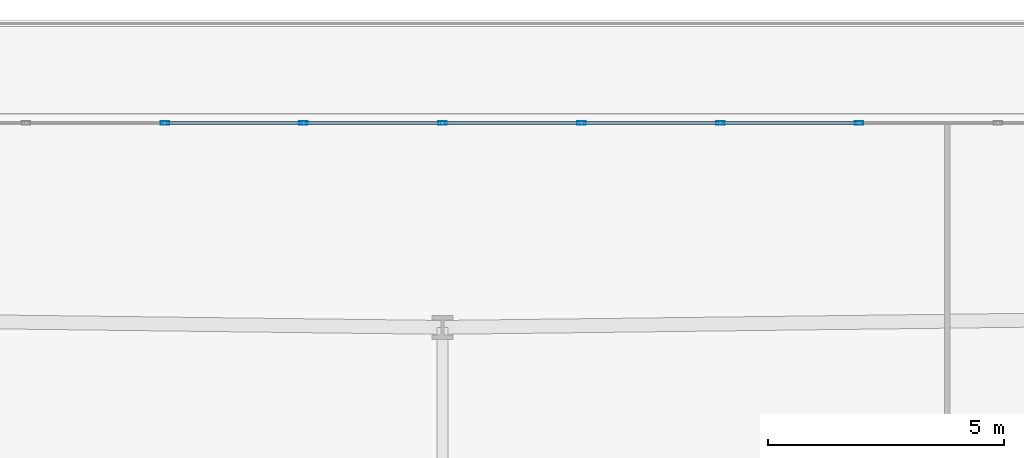
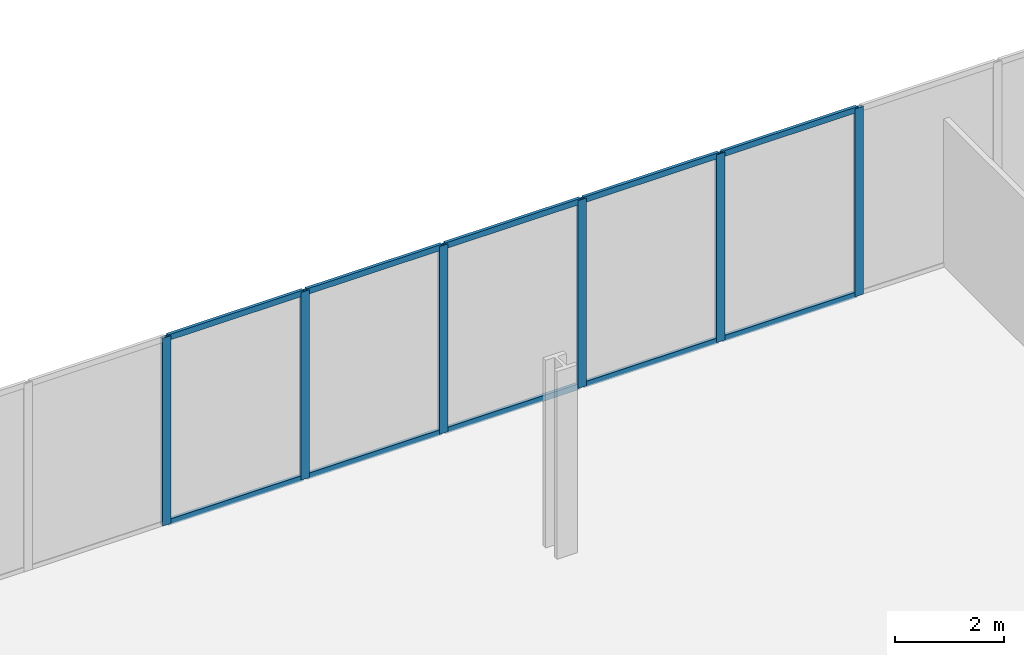
# One storey, part 17 of 31: 16 members, 1 element without a shape of its own.
"""IFC4 building model written with IfcOpenShell, lengths in metres."""

from ifc_helpers import new_model, si_unit, direction, frame, origin, origin_2d, place, context, subcontext, project, spatial, hollow_rectangle, extrude, material, layer, layer_set, material_profile, profile_set, type_object, element, aggregate, save


model = new_model("IFC4")

# Units and contexts
model_context = context("Model", 3, precision=1e-05, world=origin(), true_north=direction((0.0, 1.0)))
body_context = subcontext(model_context, "Body", "Model", "MODEL_VIEW")
ifc_project = project(units=[si_unit("LENGTHUNIT", "METRE"), si_unit("AREAUNIT", "SQUARE_METRE"), si_unit("VOLUMEUNIT", "CUBIC_METRE"), si_unit("PLANEANGLEUNIT", "RADIAN"), si_unit("MASSUNIT", "GRAM", prefix="KILO")], contexts=[model_context])

# Site, building, storey
site_placement = place(None, origin())
site = spatial("IfcSite", under=ifc_project, at=site_placement, CompositionType="ELEMENT")
building_placement = place(site_placement, origin())
building = spatial("IfcBuilding", under=site, at=building_placement, Name="Caelvoria Tower", CompositionType="ELEMENT")
storey_placement = place(building_placement, frame((0.0, 0.0, 9.5)))
storey = spatial("IfcBuildingStorey", under=building, at=storey_placement, Name="L02", CompositionType="ELEMENT", Elevation=9.5)

# Curtain wall, members
ifc_material_1 = material(Name="Anodised Bronze Aluminium and Low-E Glass", Category="aluminium")
ifc_layer = layer(ifc_material_1, 0.199951171875, Name="Anodised Bronze Aluminium and Low-E Glass")
ifc_layer_set = layer_set([ifc_layer], Name="CW System 1 Podium Arcade Unitised Glazing - Anodised Bronze Aluminium and Low-E Glass")
curtain_wall_type = type_object("IfcCurtainWallType", Name="CW System 1 Podium Arcade Unitised Glazing", PredefinedType="NOTDEFINED", material=ifc_layer_set)
curtain_wall_placement = place(storey_placement, origin())
curtain_wall = element("IfcCurtainWall", 1, at=curtain_wall_placement, inside=storey, type_object=curtain_wall_type, Name="CW-01 Curtain Wall L02-E4", PredefinedType="NOTDEFINED")
ifc_material_2 = material(Name="Anodised Bronze Architectural Aluminium", Category="aluminium")
ifc_material_profile_1 = material_profile(ifc_material_2, hollow_rectangle(XDim=0.070068359375, YDim=0.179931640625, WallThickness=0.00390625, at=origin_2d()), Name="Anodised Bronze Architectural Aluminium")
ifc_profile_set_1 = profile_set([ifc_material_profile_1], Name="CW_MULL_70X180 - Anodised Bronze Architectural Aluminium")
member_type_1 = type_object("IfcMemberType", Name="Curtain Wall Mullion 70x180 Bronze Aluminium", PredefinedType="MULLION", material=ifc_profile_set_1)
member_1_placement = place(storey_placement, frame((54.80908203125, 57.6201171875, 0.0), z_axis=(0.0, 0.0, 1.0), x_axis=(0.0, -1.0, 0.0)))
member_1 = element("IfcMember", 2, at=member_1_placement, type_object=member_type_1, Name="CW-01 mullion 9", PredefinedType="MULLION", context=body_context, shape_type="SweptSolid", body=[
    extrude(hollow_rectangle(XDim=0.070068359375, YDim=0.179931640625, WallThickness=0.00390625, at=origin_2d()), origin(), (0.0, 0.0, 1.0), 4.2099609375),
])
member_2_placement = place(storey_placement, frame((51.872802734375, 57.6201171875, 0.0), z_axis=(0.0, 0.0, 1.0), x_axis=(0.0, -1.0, 0.0)))
member_2 = element("IfcMember", 3, at=member_2_placement, type_object=member_type_1, Name="CW-01 mullion 10", PredefinedType="MULLION", context=body_context, shape_type="SweptSolid", body=[
    extrude(hollow_rectangle(XDim=0.070068359375, YDim=0.179931640625, WallThickness=0.00390625, at=origin_2d()), origin(), (0.0, 0.0, 1.0), 4.2099609375),
])
member_3_placement = place(storey_placement, frame((48.936279296875, 57.6201171875, 0.0), z_axis=(0.0, 0.0, 1.0), x_axis=(0.0, -1.0, 0.0)))
member_3 = element("IfcMember", 4, at=member_3_placement, type_object=member_type_1, Name="CW-01 mullion 11", PredefinedType="MULLION", context=body_context, shape_type="SweptSolid", body=[
    extrude(hollow_rectangle(XDim=0.070068359375, YDim=0.179931640625, WallThickness=0.00390625, at=origin_2d()), origin(), (0.0, 0.0, 1.0), 4.2099609375),
])
member_4_placement = place(storey_placement, frame((46.0, 57.6201171875, 0.0), z_axis=(0.0, 0.0, 1.0), x_axis=(0.0, -1.0, 0.0)))
member_4 = element("IfcMember", 5, at=member_4_placement, type_object=member_type_1, Name="CW-01 mullion 12", PredefinedType="MULLION", context=body_context, shape_type="SweptSolid", body=[
    extrude(hollow_rectangle(XDim=0.070068359375, YDim=0.179931640625, WallThickness=0.00390625, at=origin_2d()), origin(), (0.0, 0.0, 1.0), 4.2099609375),
])
member_5_placement = place(storey_placement, frame((43.063720703125, 57.6201171875, 0.0), z_axis=(0.0, 0.0, 1.0), x_axis=(0.0, -1.0, 0.0)))
member_5 = element("IfcMember", 6, at=member_5_placement, type_object=member_type_1, Name="CW-01 mullion 13", PredefinedType="MULLION", context=body_context, shape_type="SweptSolid", body=[
    extrude(hollow_rectangle(XDim=0.070068359375, YDim=0.179931640625, WallThickness=0.00390625, at=origin_2d()), origin(), (0.0, 0.0, 1.0), 4.2099609375),
])
member_6_placement = place(storey_placement, frame((40.127197265625, 57.6201171875, 0.0), z_axis=(0.0, 0.0, 1.0), x_axis=(0.0, -1.0, 0.0)))
member_6 = element("IfcMember", 7, at=member_6_placement, type_object=member_type_1, Name="CW-01 mullion 14", PredefinedType="MULLION", context=body_context, shape_type="SweptSolid", body=[
    extrude(hollow_rectangle(XDim=0.070068359375, YDim=0.179931640625, WallThickness=0.00390625, at=origin_2d()), origin(), (0.0, 0.0, 1.0), 4.2099609375),
])
ifc_material_profile_2 = material_profile(ifc_material_2, hollow_rectangle(XDim=0.06494140625, YDim=0.1298828125, WallThickness=0.00341796875, at=origin_2d()), Name="Anodised Bronze Architectural Aluminium")
ifc_profile_set_2 = profile_set([ifc_material_profile_2], Name="CW_TRAN_65X130 - Anodised Bronze Architectural Aluminium")
member_type_2 = type_object("IfcMemberType", Name="Curtain Wall Transom 65x130 Bronze Aluminium", PredefinedType="USERDEFINED", material=ifc_profile_set_2)
member_7_placement = place(storey_placement, frame((54.774169921875, 57.6201171875, 0.032470703125), z_axis=(-1.0, 0.0, 0.0), x_axis=(0.0, -1.0, 0.0)))
member_7 = element("IfcMember", 8, at=member_7_placement, type_object=member_type_2, Name="CW-01 transom 9.1", ObjectType="TRANSOM", PredefinedType="USERDEFINED", context=body_context, shape_type="SweptSolid", body=[
    extrude(hollow_rectangle(XDim=0.06494140625, YDim=0.1298828125, WallThickness=0.00341796875, at=origin_2d()), origin(), (0.0, 0.0, 1.0), 2.866455078125),
])
member_8_placement = place(storey_placement, frame((54.774169921875, 57.6201171875, 4.177490234375), z_axis=(-1.0, 0.0, 0.0), x_axis=(0.0, -1.0, 0.0)))
member_8 = element("IfcMember", 9, at=member_8_placement, type_object=member_type_2, Name="CW-01 transom 9.2", ObjectType="TRANSOM", PredefinedType="USERDEFINED", context=body_context, shape_type="SweptSolid", body=[
    extrude(hollow_rectangle(XDim=0.06494140625, YDim=0.1298828125, WallThickness=0.00341796875, at=origin_2d()), origin(), (0.0, 0.0, 1.0), 2.866455078125),
])
member_9_placement = place(storey_placement, frame((51.837646484375, 57.6201171875, 0.032470703125), z_axis=(-1.0, 0.0, 0.0), x_axis=(0.0, -1.0, 0.0)))
member_9 = element("IfcMember", 10, at=member_9_placement, type_object=member_type_2, Name="CW-01 transom 10.1", ObjectType="TRANSOM", PredefinedType="USERDEFINED", context=body_context, shape_type="SweptSolid", body=[
    extrude(hollow_rectangle(XDim=0.06494140625, YDim=0.1298828125, WallThickness=0.00341796875, at=origin_2d()), origin(), (0.0, 0.0, 1.0), 2.8662109375),
])
member_10_placement = place(storey_placement, frame((51.837646484375, 57.6201171875, 4.177490234375), z_axis=(-1.0, 0.0, 0.0), x_axis=(0.0, -1.0, 0.0)))
member_10 = element("IfcMember", 11, at=member_10_placement, type_object=member_type_2, Name="CW-01 transom 10.2", ObjectType="TRANSOM", PredefinedType="USERDEFINED", context=body_context, shape_type="SweptSolid", body=[
    extrude(hollow_rectangle(XDim=0.06494140625, YDim=0.1298828125, WallThickness=0.00341796875, at=origin_2d()), origin(), (0.0, 0.0, 1.0), 2.8662109375),
])
member_11_placement = place(storey_placement, frame((48.9013671875, 57.6201171875, 0.032470703125), z_axis=(-1.0, 0.0, 0.0), x_axis=(0.0, -1.0, 0.0)))
member_11 = element("IfcMember", 12, at=member_11_placement, type_object=member_type_2, Name="CW-01 transom 11.1", ObjectType="TRANSOM", PredefinedType="USERDEFINED", context=body_context, shape_type="SweptSolid", body=[
    extrude(hollow_rectangle(XDim=0.06494140625, YDim=0.1298828125, WallThickness=0.00341796875, at=origin_2d()), origin(), (0.0, 0.0, 1.0), 2.866455078125),
])
member_12_placement = place(storey_placement, frame((48.9013671875, 57.6201171875, 4.177490234375), z_axis=(-1.0, 0.0, 0.0), x_axis=(0.0, -1.0, 0.0)))
member_12 = element("IfcMember", 13, at=member_12_placement, type_object=member_type_2, Name="CW-01 transom 11.2", ObjectType="TRANSOM", PredefinedType="USERDEFINED", context=body_context, shape_type="SweptSolid", body=[
    extrude(hollow_rectangle(XDim=0.06494140625, YDim=0.1298828125, WallThickness=0.00341796875, at=origin_2d()), origin(), (0.0, 0.0, 1.0), 2.866455078125),
])
member_13_placement = place(storey_placement, frame((45.965087890625, 57.6201171875, 0.032470703125), z_axis=(-1.0, 0.0, 0.0), x_axis=(0.0, -1.0, 0.0)))
member_13 = element("IfcMember", 14, at=member_13_placement, type_object=member_type_2, Name="CW-01 transom 12.1", ObjectType="TRANSOM", PredefinedType="USERDEFINED", context=body_context, shape_type="SweptSolid", body=[
    extrude(hollow_rectangle(XDim=0.06494140625, YDim=0.1298828125, WallThickness=0.00341796875, at=origin_2d()), origin(), (0.0, 0.0, 1.0), 2.866455078125),
])
member_14_placement = place(storey_placement, frame((45.965087890625, 57.6201171875, 4.177490234375), z_axis=(-1.0, 0.0, 0.0), x_axis=(0.0, -1.0, 0.0)))
member_14 = element("IfcMember", 15, at=member_14_placement, type_object=member_type_2, Name="CW-01 transom 12.2", ObjectType="TRANSOM", PredefinedType="USERDEFINED", context=body_context, shape_type="SweptSolid", body=[
    extrude(hollow_rectangle(XDim=0.06494140625, YDim=0.1298828125, WallThickness=0.00341796875, at=origin_2d()), origin(), (0.0, 0.0, 1.0), 2.866455078125),
])
member_15_placement = place(storey_placement, frame((43.028564453125, 57.6201171875, 0.032470703125), z_axis=(-1.0, 0.0, 0.0), x_axis=(0.0, -1.0, 0.0)))
member_15 = element("IfcMember", 16, at=member_15_placement, type_object=member_type_2, Name="CW-01 transom 13.1", ObjectType="TRANSOM", PredefinedType="USERDEFINED", context=body_context, shape_type="SweptSolid", body=[
    extrude(hollow_rectangle(XDim=0.06494140625, YDim=0.1298828125, WallThickness=0.00341796875, at=origin_2d()), origin(), (0.0, 0.0, 1.0), 2.8662109375),
])
member_16_placement = place(storey_placement, frame((43.028564453125, 57.6201171875, 4.177490234375), z_axis=(-1.0, 0.0, 0.0), x_axis=(0.0, -1.0, 0.0)))
member_16 = element("IfcMember", 17, at=member_16_placement, type_object=member_type_2, Name="CW-01 transom 13.2", ObjectType="TRANSOM", PredefinedType="USERDEFINED", context=body_context, shape_type="SweptSolid", body=[
    extrude(hollow_rectangle(XDim=0.06494140625, YDim=0.1298828125, WallThickness=0.00341796875, at=origin_2d()), origin(), (0.0, 0.0, 1.0), 2.8662109375),
])
aggregate(curtain_wall, [member_1, member_2, member_3, member_4, member_5, member_6, member_7, member_8, member_9, member_10, member_11, member_12, member_13, member_14, member_15, member_16])

save(model, "model.ifc")
